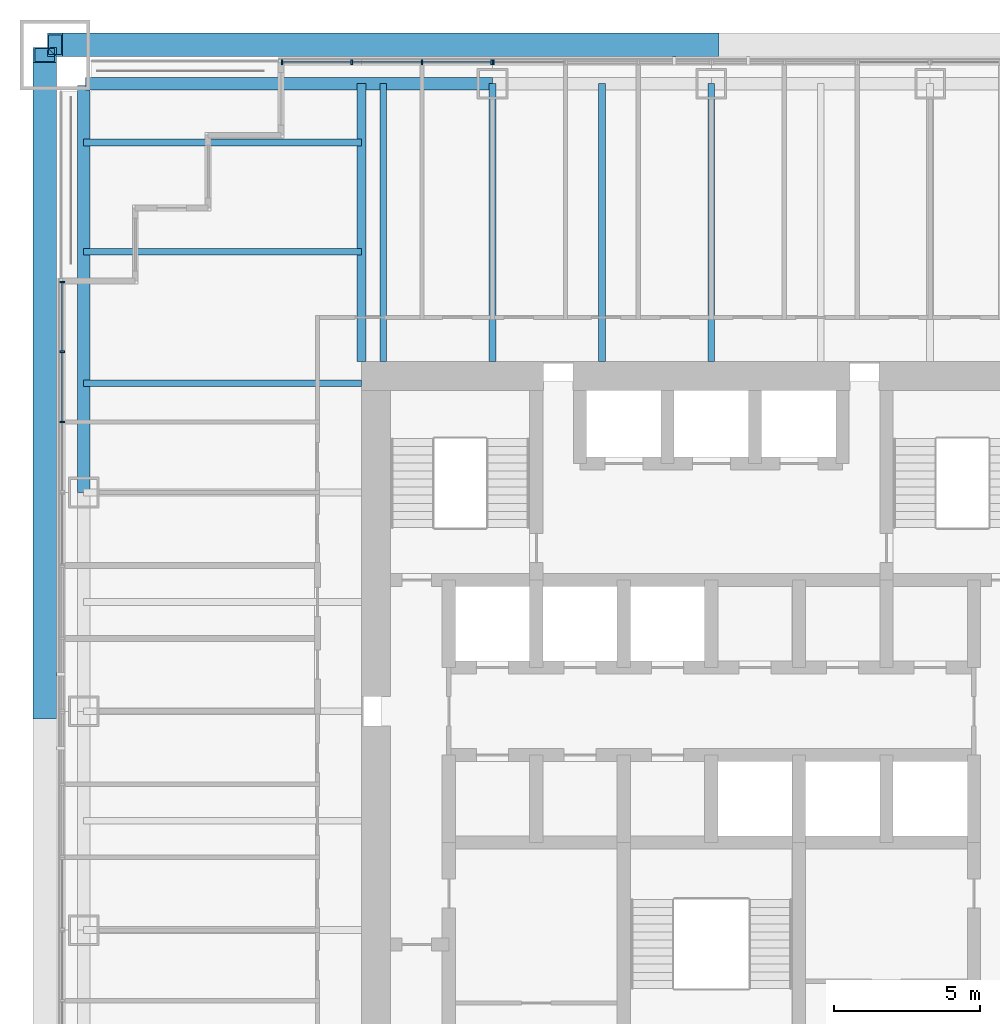
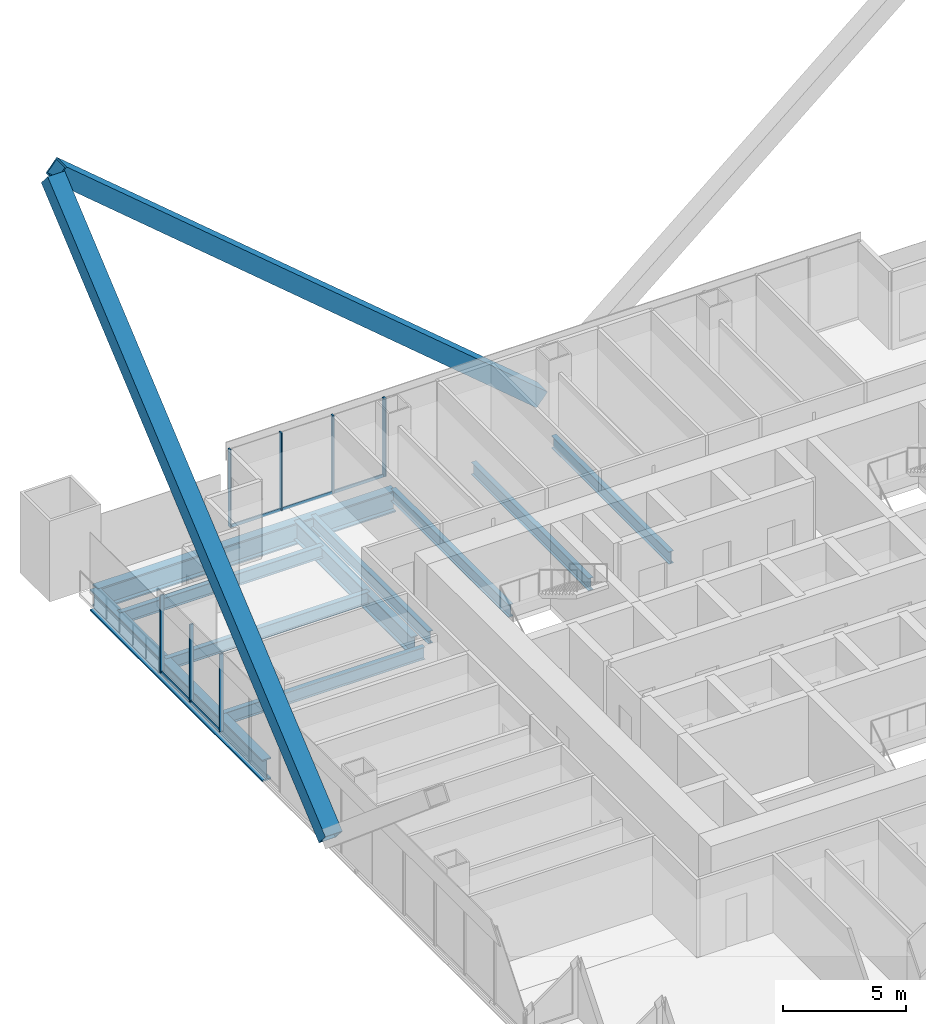
# One storey, part 7 of 17: 15 members, 10 beams, 3 elements without a shape of their own.
"""IFC4 building model written with IfcOpenShell, lengths in metres."""

from ifc_helpers import new_model, si_unit, direction, frame, origin, origin_2d, place, context, subcontext, project, spatial, rectangle, hollow_rectangle, i_section, extrude, material, material_profile, profile_set, type_object, element, aggregate, save


model = new_model("IFC4")

# Units and contexts
model_context = context("Model", 3, precision=1e-05, world=origin(), true_north=direction((0.0, 1.0)))
body_context = subcontext(model_context, "Body", "Model", "MODEL_VIEW")
ifc_project = project(units=[si_unit("LENGTHUNIT", "METRE"), si_unit("AREAUNIT", "SQUARE_METRE"), si_unit("VOLUMEUNIT", "CUBIC_METRE"), si_unit("PLANEANGLEUNIT", "RADIAN"), si_unit("MASSUNIT", "GRAM", prefix="KILO")], contexts=[model_context])

# Site, building, storey
site_placement = place(None, origin())
site = spatial("IfcSite", under=ifc_project, at=site_placement, CompositionType="ELEMENT")
building_placement = place(site_placement, origin())
building = spatial("IfcBuilding", under=site, at=building_placement, Name="Tarangal Relay Tower", CompositionType="ELEMENT")
storey_placement = place(building_placement, frame((0.0, 0.0, 233.89990234375)))
storey = spatial("IfcBuildingStorey", under=building, at=storey_placement, Name="L50", CompositionType="ELEMENT", Elevation=233.89990234375)

# Beams
ifc_material_1 = material(Name="Steel ASTM A992", Category="steel")
ifc_material_profile_1 = material_profile(ifc_material_1, i_section(OverallWidth=0.227783203125, OverallDepth=0.60205078125, WebThickness=0.010498046875, FlangeThickness=0.014892578125, at=origin_2d()), Name="W24X68")
ifc_profile_set_1 = profile_set([ifc_material_profile_1], Name="Steel ASTM A992")
beam_type_1 = type_object("IfcBeamType", Name="Corner beam W24X68", PredefinedType="JOIST", material=ifc_profile_set_1)
for number, where, z_axis, x_axis, name in (
    (1, (-12.0, 15.75, -0.450927734375), (-1.0, 0.0, 0.0), (0.0, -1.0, 0.0), "Corner beam CB11 W L50"),
    (2, (-12.0, 19.5, -0.450927734375), (-1.0, 0.0, 0.0), (0.0, -1.0, 0.0), "Corner beam CB11 W L50"),
):
    element("IfcBeam", number, at=place(storey_placement, frame(where, z_axis=z_axis, x_axis=x_axis)), inside=storey, type_object=beam_type_1, Name=name, PredefinedType="JOIST", context=body_context, shape_type="SweptSolid", body=[
        extrude(i_section(OverallWidth=0.227783203125, OverallDepth=0.60205078125, WebThickness=0.010498046875, FlangeThickness=0.014892578125, at=origin_2d()), origin(), (0.0, 0.0, 1.0), 9.514892578125),
    ])
ifc_material_profile_2 = material_profile(ifc_material_1, i_section(OverallWidth=0.307373046875, OverallDepth=0.9423828125, WebThickness=0.022216796875, FlangeThickness=0.039794921875, at=origin_2d()), Name="W36X232")
ifc_profile_set_2 = profile_set([ifc_material_profile_2], Name="Steel ASTM A992")
beam_type_2 = type_object("IfcBeamType", Name="Corner girder W36X232", PredefinedType="BEAM", material=ifc_profile_set_2)
beam_placement = place(storey_placement, frame((-12.0, 12.0, -0.62109375), z_axis=(0.0, 1.0, 0.0), x_axis=(-1.0, 0.0, 0.0)))
element("IfcBeam", 3, at=beam_placement, inside=storey, type_object=beam_type_2, Name="Corner girder CG4 W L50", PredefinedType="BEAM", context=body_context, shape_type="SweptSolid", body=[
    extrude(i_section(OverallWidth=0.307373046875, OverallDepth=0.9423828125, WebThickness=0.022216796875, FlangeThickness=0.039794921875, at=origin_2d()), origin(), (0.0, 0.0, 1.0), 9.514892578125),
])
ifc_material_profile_3 = material_profile(ifc_material_1, i_section(OverallWidth=0.41650390625, OverallDepth=1.0693359375, WebThickness=0.0390625, FlangeThickness=0.070068359375, at=origin_2d()), Name="W40X503")
ifc_profile_set_3 = profile_set([ifc_material_profile_3], Name="Steel ASTM A992")
beam_type_3 = type_object("IfcBeamType", Name="Edge girder W40X503", PredefinedType="SPANDREL", material=ifc_profile_set_3)
for number, where, z_axis, x_axis, name in (
    (4, (-21.449951171875, 21.514892578125, -0.6845703125), (1.0, 0.0, 0.0), (0.0, 1.0, 0.0), "Edge girder EG8 N L50"),
    (5, (-21.514892578125, 7.5, -0.6845703125), (0.0, 1.0, 0.0), (-1.0, 0.0, 0.0), "Edge girder EG8 W L50"),
):
    element("IfcBeam", number, at=place(storey_placement, frame(where, z_axis=z_axis, x_axis=x_axis)), inside=storey, type_object=beam_type_3, Name=name, PredefinedType="SPANDREL", context=body_context, shape_type="SweptSolid", body=[
        extrude(i_section(OverallWidth=0.41650390625, OverallDepth=1.0693359375, WebThickness=0.0390625, FlangeThickness=0.070068359375, at=origin_2d()), origin(), (0.0, 0.0, 1.0), 13.949951171875),
    ])
ifc_material_profile_4 = material_profile(ifc_material_1, i_section(OverallWidth=0.22900390625, OverallDepth=0.612060546875, WebThickness=0.011962890625, FlangeThickness=0.01953125, at=origin_2d()), Name="W24X84")
ifc_profile_set_4 = profile_set([ifc_material_profile_4], Name="Steel ASTM A992")
beam_type_4 = type_object("IfcBeamType", Name="Floor beam W24X84", PredefinedType="BEAM", material=ifc_profile_set_4)
for number, where, z_axis, x_axis, name in (
    (6, (-11.25, 12.0, -0.455810546875), (0.0, 1.0, 0.0), (-1.0, 0.0, 0.0), "Floor beam RB12 N L50"),
    (7, (-7.5, 12.0, -0.455810546875), (0.0, 1.0, 0.0), (-1.0, 0.0, 0.0), "Floor beam RB12 N L50"),
    (8, (-3.75, 12.0, -0.455810546875), (0.0, 1.0, 0.0), (-1.0, 0.0, 0.0), "Floor beam RB12 N L50"),
    (9, (0.0, 12.0, -0.455810546875), (0.0, 1.0, 0.0), (-1.0, 0.0, 0.0), "Floor beam RB12 N L50"),
    (10, (-12.0, 11.25, -0.455810546875), (-1.0, 0.0, 0.0), (0.0, -1.0, 0.0), "Floor beam RB12 W L50"),
):
    element("IfcBeam", number, at=place(storey_placement, frame(where, z_axis=z_axis, x_axis=x_axis)), inside=storey, type_object=beam_type_4, Name=name, PredefinedType="BEAM", context=body_context, shape_type="SweptSolid", body=[
        extrude(i_section(OverallWidth=0.22900390625, OverallDepth=0.612060546875, WebThickness=0.011962890625, FlangeThickness=0.01953125, at=origin_2d()), origin(), (0.0, 0.0, 1.0), 9.514892578125),
    ])

# Members
ifc_material_2 = material(Name="Steel ASTM A572 Grade 50", Category="steel")
ifc_material_profile_5 = material_profile(ifc_material_2, hollow_rectangle(XDim=0.800048828125, YDim=0.800048828125, WallThickness=0.06494140625, at=origin_2d()), Name="BOX800X800X65")
ifc_profile_set_5 = profile_set([ifc_material_profile_5], Name="Steel ASTM A572 Grade 50")
member_type_1 = type_object("IfcMemberType", Name="Mega brace BOX800X800X65", PredefinedType="BRACE", material=ifc_profile_set_5)
for number, where, z_axis, x_axis, name in (
    (11, (0.0, 22.85009765625, 1.0), (-0.764029915847, 0.0, 0.645180817826), (0.0, -1.0, 0.0), "Mega brace MB3 N face module 2"),
    (12, (-22.85009765625, 0.0, 1.0), (0.0, 0.764029915847, 0.645180817826), (-1.0, 0.0, 0.0), "Mega brace MB3 W face module 2"),
):
    element("IfcMember", number, at=place(storey_placement, frame(where, z_axis=z_axis, x_axis=x_axis)), inside=storey, type_object=member_type_1, Name=name, PredefinedType="BRACE", context=body_context, shape_type="SweptSolid", body=[
        extrude(hollow_rectangle(XDim=0.800048828125, YDim=0.800048828125, WallThickness=0.06494140625, at=origin_2d()), origin(), (0.0, 0.0, 1.0), 29.44921875),
    ])

# Curtain wall, members
ifc_material_3 = material(Name="Unitised curtain wall, dark glass and black aluminium", Category="aluminium")
curtain_wall_type = type_object("IfcCurtainWallType", Name="Curtain wall CW-A", PredefinedType="USERDEFINED", material=ifc_material_3)
curtain_wall_1_placement = place(storey_placement, origin())
curtain_wall_1 = element("IfcCurtainWall", 13, at=curtain_wall_1_placement, inside=storey, type_object=curtain_wall_type, Name="Curtain wall CW-A N facade L50", ObjectType="UNITISED CURTAIN WALL", PredefinedType="USERDEFINED")
ifc_material_4 = material(Name="Black anodised aluminium mullion", Category="aluminium")
ifc_material_profile_6 = material_profile(ifc_material_4, rectangle(XDim=0.175048828125, YDim=0.06494140625, at=origin_2d()), Name="CW-AM 65X175")
ifc_profile_set_6 = profile_set([ifc_material_profile_6], Name="Black anodised aluminium mullion")
member_type_2 = type_object("IfcMemberType", Name="Mullion CW-A 65 x 175", PredefinedType="MULLION", material=ifc_profile_set_6)
member_1_placement = place(storey_placement, frame((-14.717529296875, 22.25, 0.0), z_axis=(0.0, 0.0, 1.0), x_axis=(0.0, 1.0, 0.0)))
member_1 = element("IfcMember", 14, at=member_1_placement, type_object=member_type_2, Name="CW-A mullion 1", PredefinedType="MULLION", context=body_context, shape_type="SweptSolid", body=[
    extrude(rectangle(XDim=0.175048828125, YDim=0.06494140625, at=origin_2d()), origin(), (0.0, 0.0, 1.0), 3.85009765625),
])
member_2_placement = place(storey_placement, frame((-12.333251953125, 22.25, 0.0), z_axis=(0.0, 0.0, 1.0), x_axis=(0.0, 1.0, 0.0)))
member_2 = element("IfcMember", 15, at=member_2_placement, type_object=member_type_2, Name="CW-A mullion 2", PredefinedType="MULLION", context=body_context, shape_type="SweptSolid", body=[
    extrude(rectangle(XDim=0.175048828125, YDim=0.06494140625, at=origin_2d()), origin(), (0.0, 0.0, 1.0), 3.85009765625),
])
member_3_placement = place(storey_placement, frame((-9.916748046875, 22.25, 0.0), z_axis=(0.0, 0.0, 1.0), x_axis=(0.0, 1.0, 0.0)))
member_3 = element("IfcMember", 16, at=member_3_placement, type_object=member_type_2, Name="CW-A mullion 3", PredefinedType="MULLION", context=body_context, shape_type="SweptSolid", body=[
    extrude(rectangle(XDim=0.175048828125, YDim=0.06494140625, at=origin_2d()), origin(), (0.0, 0.0, 1.0), 3.85009765625),
])
member_4_placement = place(storey_placement, frame((-7.532470703125, 22.25, 0.0), z_axis=(0.0, 0.0, 1.0), x_axis=(0.0, 1.0, 0.0)))
member_4 = element("IfcMember", 17, at=member_4_placement, type_object=member_type_2, Name="CW-A mullion 4", PredefinedType="MULLION", context=body_context, shape_type="SweptSolid", body=[
    extrude(rectangle(XDim=0.175048828125, YDim=0.06494140625, at=origin_2d()), origin(), (0.0, 0.0, 1.0), 3.85009765625),
])

# Curtain wall, member
curtain_wall_2_placement = place(storey_placement, origin())
curtain_wall_2 = element("IfcCurtainWall", 18, at=curtain_wall_2_placement, inside=storey, type_object=curtain_wall_type, Name="Curtain wall CW-A N facade L50", ObjectType="UNITISED CURTAIN WALL", PredefinedType="USERDEFINED")
member_5_placement = place(storey_placement, frame((-7.467529296875, 22.25, 0.0), z_axis=(0.0, 0.0, 1.0), x_axis=(0.0, 1.0, 0.0)))
member_5 = element("IfcMember", 19, at=member_5_placement, type_object=member_type_2, Name="CW-A mullion 1", PredefinedType="MULLION", context=body_context, shape_type="SweptSolid", body=[
    extrude(rectangle(XDim=0.175048828125, YDim=0.06494140625, at=origin_2d()), origin(), (0.0, 0.0, 1.0), 3.85009765625),
])
aggregate(curtain_wall_2, [member_5])

# Curtain wall, members
curtain_wall_3_placement = place(storey_placement, origin())
curtain_wall_3 = element("IfcCurtainWall", 20, at=curtain_wall_3_placement, inside=storey, type_object=curtain_wall_type, Name="Curtain wall CW-A W facade L50", ObjectType="UNITISED CURTAIN WALL", PredefinedType="USERDEFINED")
member_6_placement = place(storey_placement, frame((-22.25, 9.916748046875, 0.0), z_axis=(0.0, 0.0, 1.0), x_axis=(-1.0, 0.0, 0.0)))
member_6 = element("IfcMember", 21, at=member_6_placement, type_object=member_type_2, Name="CW-A mullion 2", PredefinedType="MULLION", context=body_context, shape_type="SweptSolid", body=[
    extrude(rectangle(XDim=0.175048828125, YDim=0.06494140625, at=origin_2d()), origin(), (0.0, 0.0, 1.0), 3.85009765625),
])
member_7_placement = place(storey_placement, frame((-22.25, 12.333251953125, 0.0), z_axis=(0.0, 0.0, 1.0), x_axis=(-1.0, 0.0, 0.0)))
member_7 = element("IfcMember", 22, at=member_7_placement, type_object=member_type_2, Name="CW-A mullion 3", PredefinedType="MULLION", context=body_context, shape_type="SweptSolid", body=[
    extrude(rectangle(XDim=0.175048828125, YDim=0.06494140625, at=origin_2d()), origin(), (0.0, 0.0, 1.0), 3.85009765625),
])
member_8_placement = place(storey_placement, frame((-22.25, 14.717529296875, 0.0), z_axis=(0.0, 0.0, 1.0), x_axis=(-1.0, 0.0, 0.0)))
member_8 = element("IfcMember", 23, at=member_8_placement, type_object=member_type_2, Name="CW-A mullion 4", PredefinedType="MULLION", context=body_context, shape_type="SweptSolid", body=[
    extrude(rectangle(XDim=0.175048828125, YDim=0.06494140625, at=origin_2d()), origin(), (0.0, 0.0, 1.0), 3.85009765625),
])

# Member
ifc_material_5 = material(Name="Black anodised aluminium transom", Category="aluminium")
ifc_material_profile_7 = material_profile(ifc_material_5, rectangle(XDim=0.06494140625, YDim=0.14990234375, at=origin_2d()), Name="CW-AT 65X150")
ifc_profile_set_7 = profile_set([ifc_material_profile_7], Name="Black anodised aluminium transom")
member_type_3 = type_object("IfcMemberType", Name="Transom CW-A 65 x 150", PredefinedType="USERDEFINED", material=ifc_profile_set_7)
member_9_placement = place(storey_placement, frame((-14.68505859375, 22.25, 0.03271484375), z_axis=(1.0, 0.0, 0.0), x_axis=(0.0, 1.0, 0.0)))
member_9 = element("IfcMember", 24, at=member_9_placement, type_object=member_type_3, Name="CW-A transom 1.1", ObjectType="TRANSOM", PredefinedType="USERDEFINED", context=body_context, shape_type="SweptSolid", body=[
    extrude(rectangle(XDim=0.06494140625, YDim=0.14990234375, at=origin_2d()), origin(), (0.0, 0.0, 1.0), 2.3193359375),
])

member_10_placement = place(storey_placement, frame((-12.30078125, 22.25, 0.03271484375), z_axis=(1.0, 0.0, 0.0), x_axis=(0.0, 1.0, 0.0)))
member_10 = element("IfcMember", 25, at=member_10_placement, type_object=member_type_3, Name="CW-A transom 2.1", ObjectType="TRANSOM", PredefinedType="USERDEFINED", context=body_context, shape_type="SweptSolid", body=[
    extrude(rectangle(XDim=0.06494140625, YDim=0.14990234375, at=origin_2d()), origin(), (0.0, 0.0, 1.0), 2.3515625),
])

member_11_placement = place(storey_placement, frame((-9.88427734375, 22.25, 0.03271484375), z_axis=(1.0, 0.0, 0.0), x_axis=(0.0, 1.0, 0.0)))
member_11 = element("IfcMember", 26, at=member_11_placement, type_object=member_type_3, Name="CW-A transom 3.1", ObjectType="TRANSOM", PredefinedType="USERDEFINED", context=body_context, shape_type="SweptSolid", body=[
    extrude(rectangle(XDim=0.06494140625, YDim=0.14990234375, at=origin_2d()), origin(), (0.0, 0.0, 1.0), 2.3193359375),
])

aggregate(curtain_wall_1, [member_1, member_2, member_3, member_4, member_9, member_10, member_11])

member_12_placement = place(storey_placement, frame((-22.25, 9.94921875, 0.03271484375), z_axis=(0.0, 1.0, 0.0), x_axis=(-1.0, 0.0, 0.0)))
member_12 = element("IfcMember", 27, at=member_12_placement, type_object=member_type_3, Name="CW-A transom 2.1", ObjectType="TRANSOM", PredefinedType="USERDEFINED", context=body_context, shape_type="SweptSolid", body=[
    extrude(rectangle(XDim=0.06494140625, YDim=0.14990234375, at=origin_2d()), origin(), (0.0, 0.0, 1.0), 2.3515625),
])

member_13_placement = place(storey_placement, frame((-22.25, 12.36572265625, 0.03271484375), z_axis=(0.0, 1.0, 0.0), x_axis=(-1.0, 0.0, 0.0)))
member_13 = element("IfcMember", 28, at=member_13_placement, type_object=member_type_3, Name="CW-A transom 3.1", ObjectType="TRANSOM", PredefinedType="USERDEFINED", context=body_context, shape_type="SweptSolid", body=[
    extrude(rectangle(XDim=0.06494140625, YDim=0.14990234375, at=origin_2d()), origin(), (0.0, 0.0, 1.0), 2.3193359375),
])

aggregate(curtain_wall_3, [member_6, member_7, member_8, member_12, member_13])

save(model, "model.ifc")
